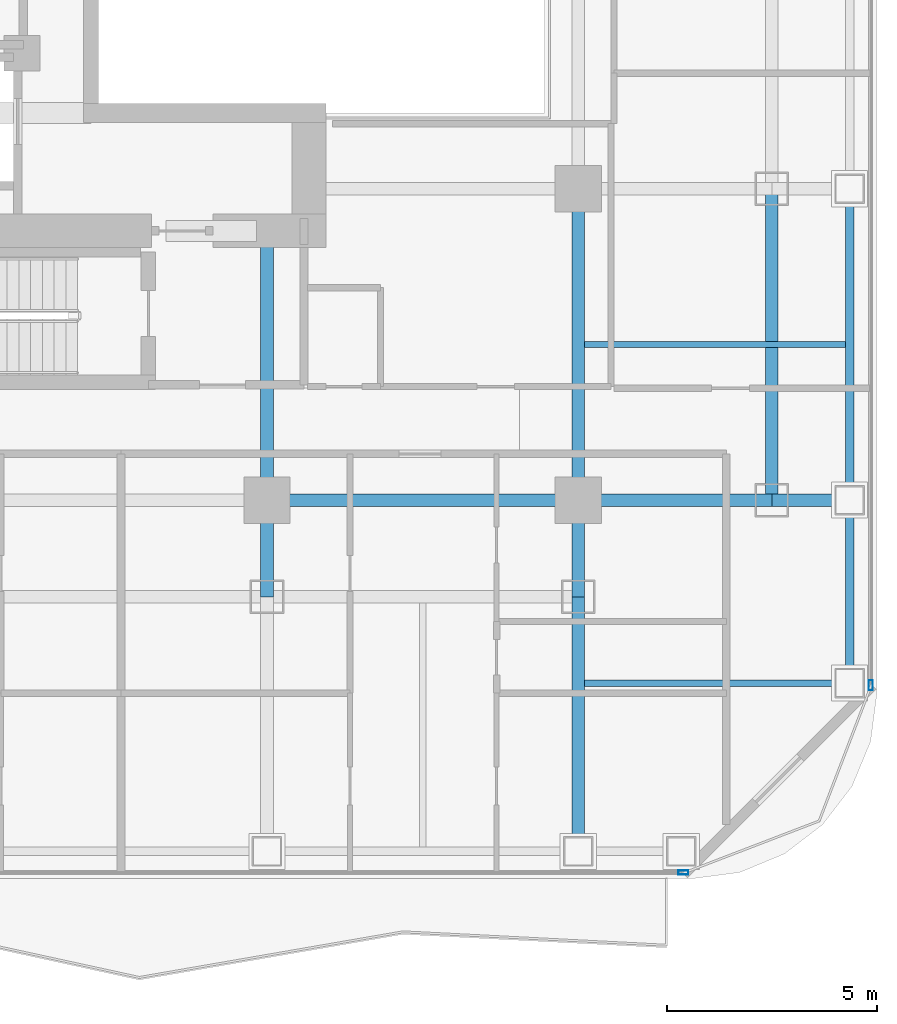
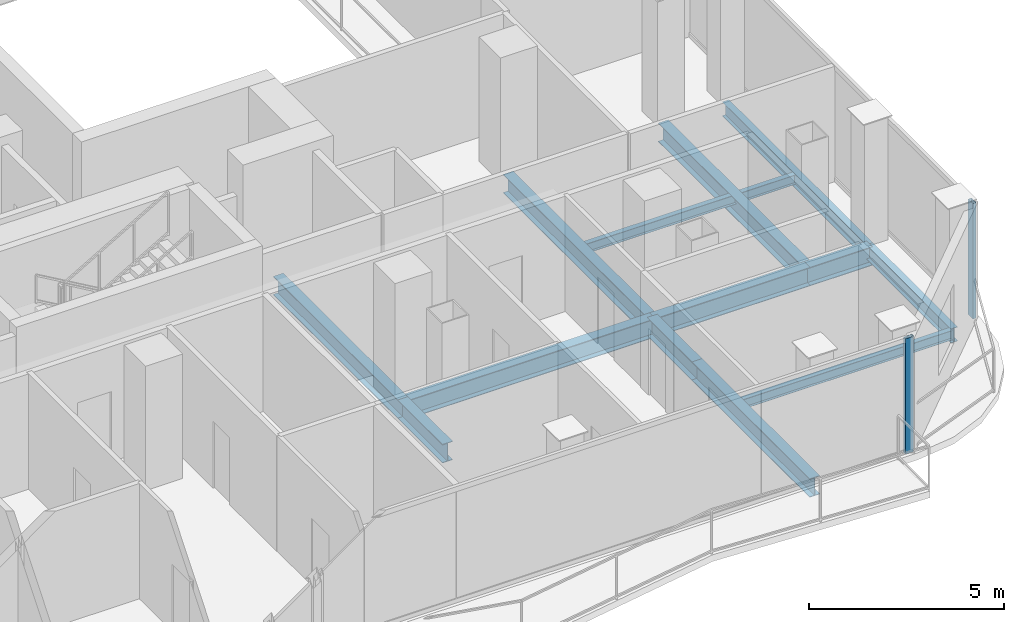
# One storey, part 7 of 26: 13 beams, 2 members, 2 elements without a shape of their own.
"""IFC4 building model written with IfcOpenShell, lengths in metres."""

import ifcopenshell
import ifcopenshell.guid

model = None  # the IFC model being written
_history = None  # IfcOwnerHistory: only IFC2X3 demands one
_inside = {}  # id of a spatial element -> (the spatial element, [elements in it])
_under = {}  # id of a project, library or spatial element -> (it, [spatial elements below it])
_declared = {}  # id of a project -> (the project, [libraries it declares])
_typed = {}  # id of a type object -> (the type object, [elements of that type])
_made_of = {}  # id of a material, layer set ... -> (it, [elements and type objects made of it])


def new_model(schema):
    """Start an empty IFC model of exactly this schema.

    Asked for "IFC4X3", IfcOpenShell would pick the latest addendum, in which some entities
    have other attributes; the version numbers below select the first issue.
    IFC2X3 requires an IfcOwnerHistory on every rooted entity: one is made here for all.
    """
    global model, _history
    if schema == "IFC4X3":
        model = ifcopenshell.file(schema_version=(4, 3, 0, 0))
    else:
        model = ifcopenshell.file(schema=schema)
    _inside.clear()
    _under.clear()
    _declared.clear()
    _typed.clear()
    _made_of.clear()
    _history = None
    if model.schema == "IFC2X3":
        org = make("IfcOrganization", Name="unknown")
        user = make(
            "IfcPersonAndOrganization",
            ThePerson=make("IfcPerson", FamilyName="unknown"),
            TheOrganization=org,
        )
        app = make(
            "IfcApplication",
            ApplicationDeveloper=org,
            Version="unknown",
            ApplicationFullName="unknown",
            ApplicationIdentifier="unknown",
        )
        _history = make(
            "IfcOwnerHistory",
            OwningUser=user,
            OwningApplication=app,
            ChangeAction="ADDED",
            CreationDate=0,
        )
    return model


def make(cls, **values):
    """One entity of the class cls with the attributes given. An attribute that is None is left unset."""
    return model.create_entity(
        cls, **{name: value for name, value in values.items() if value is not None}
    )


def rooted(cls, **values):
    """An entity with a GlobalId (a new one), such as an element, a storey or a relation."""
    return make(cls, GlobalId=ifcopenshell.guid.new(), OwnerHistory=_history, **values)


def si_unit(unit_type, name, prefix=None):
    """IfcSIUnit, for example si_unit("LENGTHUNIT", "METRE", prefix="MILLI")."""
    return make("IfcSIUnit", UnitType=unit_type, Prefix=prefix, Name=name)


def assignment(units):
    """IfcUnitAssignment: the units of a project."""
    return None if units is None else make("IfcUnitAssignment", Units=units)


def point(xyz):
    """IfcCartesianPoint."""
    return None if xyz is None else make("IfcCartesianPoint", Coordinates=xyz)


def direction(xyz):
    """IfcDirection."""
    return None if xyz is None else make("IfcDirection", DirectionRatios=xyz)


def frame(location, z_axis=None, x_axis=None):
    """IfcAxis2Placement3D, a coordinate frame: its origin and axes. An axis left out is left unset."""
    return make(
        "IfcAxis2Placement3D",
        Location=point(location),
        Axis=direction(z_axis),
        RefDirection=direction(x_axis),
    )


def frame_2d(location, x_axis=None):
    """IfcAxis2Placement2D, a coordinate frame in the plane: its origin and x axis."""
    return make(
        "IfcAxis2Placement2D", Location=point(location), RefDirection=direction(x_axis)
    )


def origin():
    """The frame at (0, 0, 0) with its axes left unset."""
    return frame((0.0, 0.0, 0.0))


def origin_2d():
    """The frame at (0, 0) in the plane with its x axis left unset."""
    return frame_2d((0.0, 0.0))


def place(relative_to, where):
    """IfcLocalPlacement: puts the frame where relative to a parent placement (None: the world)."""
    return make(
        "IfcLocalPlacement", PlacementRelTo=relative_to, RelativePlacement=where
    )


def context(
    kind, dimensions, precision=None, world=None, true_north=None, identifier=None
):
    """IfcGeometricRepresentationContext, for example the 3D "Model" context."""
    return make(
        "IfcGeometricRepresentationContext",
        ContextIdentifier=identifier,
        ContextType=kind,
        CoordinateSpaceDimension=dimensions,
        Precision=precision,
        WorldCoordinateSystem=world,
        TrueNorth=true_north,
    )


def subcontext(parent, identifier, kind, view, scale=None):
    """IfcGeometricRepresentationSubContext, for example "Body" below "Model"."""
    return make(
        "IfcGeometricRepresentationSubContext",
        ContextIdentifier=identifier,
        ContextType=kind,
        ParentContext=parent,
        TargetScale=scale,
        TargetView=view,
    )


def project(units=None, contexts=None):
    """IfcProject with its units and contexts."""
    return rooted(
        "IfcProject",
        Name="project",
        RepresentationContexts=contexts,
        UnitsInContext=assignment(units),
    )


def spatial(cls, under=None, at=None, **own):
    """A site, building, storey or space (cls), placed at a placement, below another one or the project."""
    s = rooted(cls, ObjectPlacement=at, **own)
    if under is not None:
        _under.setdefault(under.id(), (under, []))[1].append(s)
    return s


def profile(cls, at=None, kind="AREA", **sizes):
    """A parametric profile (cls). Its sizes go by their IFC names, for example OverallWidth=200.0."""
    return make(cls, ProfileType=kind, Position=at, **sizes)


def hollow_rectangle(**sizes):
    """IfcRectangleHollowProfileDef."""
    return profile("IfcRectangleHollowProfileDef", **sizes)


def i_section(**sizes):
    """IfcIShapeProfileDef."""
    return profile("IfcIShapeProfileDef", **sizes)


def extrude(swept, where, along, depth):
    """IfcExtrudedAreaSolid: the profile swept, set in the frame where, extruded along a direction by depth."""
    return make(
        "IfcExtrudedAreaSolid",
        SweptArea=swept,
        Position=where,
        ExtrudedDirection=direction(along),
        Depth=depth,
    )


def shape(context_of_items, identifier, shape_type, items):
    """IfcShapeRepresentation: the items that make up one representation, for example the "Body"."""
    return make(
        "IfcShapeRepresentation",
        ContextOfItems=context_of_items,
        RepresentationIdentifier=identifier,
        RepresentationType=shape_type,
        Items=items,
    )


def material(Name=None, Category=None):
    """IfcMaterial."""
    return make("IfcMaterial", Name=Name, Category=Category)


def layer(
    of_material, thickness, ventilated=None, Name=None, Category=None, Priority=None
):
    """IfcMaterialLayer: one layer of a wall or slab, of a material (None: an air gap)."""
    return make(
        "IfcMaterialLayer",
        Material=of_material,
        LayerThickness=thickness,
        IsVentilated=ventilated,
        Name=Name,
        Category=Category,
        Priority=Priority,
    )


def layer_set(layers, Name=None):
    """IfcMaterialLayerSet."""
    return make("IfcMaterialLayerSet", MaterialLayers=layers, LayerSetName=Name)


def material_profile(
    of_material, cross_section, Name=None, Category=None, Priority=None
):
    """IfcMaterialProfile: a cross section and its material."""
    return make(
        "IfcMaterialProfile",
        Name=Name,
        Material=of_material,
        Profile=cross_section,
        Priority=Priority,
        Category=Category,
    )


def profile_set(profiles, Name=None, composite=None):
    """IfcMaterialProfileSet."""
    return make(
        "IfcMaterialProfileSet",
        Name=Name,
        MaterialProfiles=profiles,
        CompositeProfile=composite,
    )


def made_of(thing, what):
    """Note that an element or type object is made of a material, layer set ...; save() writes the relation."""
    if what is not None:
        _made_of.setdefault(what.id(), (what, []))[1].append(thing)
    return thing


def type_object(cls, material=None, **own):
    """A type object (cls), such as IfcWallType, which elements share."""
    return made_of(rooted(cls, **own), material)


def element(
    cls,
    number,
    at=None,
    inside=None,
    cuts=None,
    type_object=None,
    material=None,
    context=None,
    identifier="Body",
    shape_type=None,
    held_by="IfcProductDefinitionShape",
    body=None,
    shapes=None,
    **own,
):
    """One element of the class cls, such as IfcWall. Its Tag is "e" and its number.

    at: its placement. inside: the storey or other place that contains it. cuts: it is an
    opening in that element (IfcRelVoidsElement). A single representation is given by context,
    identifier, shape_type and body (its items); several are given by shapes. held_by: the class
    of the entity that holds the representations. save() writes the other relations.
    """
    e = rooted(cls, Tag="e%d" % number, ObjectPlacement=at, **own)
    if body is not None:
        shapes = [shape(context, identifier, shape_type, body)]
    if shapes is not None:
        e.Representation = make(held_by, Representations=shapes)
    if inside is not None:
        _inside.setdefault(inside.id(), (inside, []))[1].append(e)
    if cuts is not None:
        rooted(
            "IfcRelVoidsElement", RelatingBuildingElement=cuts, RelatedOpeningElement=e
        )
    if type_object is not None:
        _typed.setdefault(type_object.id(), (type_object, []))[1].append(e)
    return made_of(e, material)


def aggregate(whole, parts):
    """IfcRelAggregates: a whole, such as a stair, and the parts it consists of."""
    return rooted("IfcRelAggregates", RelatingObject=whole, RelatedObjects=parts)


def save(model, path):
    """Write the relations noted so far, then the file.

    IfcRelAggregates (storeys below a building ...), IfcRelContainedInSpatialStructure (elements
    in a storey), IfcRelDefinesByType, IfcRelAssociatesMaterial and IfcRelDeclares: one each for
    every whole, place, type object, material and project.
    """
    for whole, parts in _under.values():
        aggregate(whole, parts)
    for where, things in _inside.values():
        rooted(
            "IfcRelContainedInSpatialStructure",
            RelatedElements=things,
            RelatingStructure=where,
        )
    for kind, things in _typed.values():
        rooted("IfcRelDefinesByType", RelatedObjects=things, RelatingType=kind)
    for what, things in _made_of.values():
        rooted("IfcRelAssociatesMaterial", RelatedObjects=things, RelatingMaterial=what)
    for by, libraries in _declared.values():
        rooted("IfcRelDeclares", RelatingContext=by, RelatedDefinitions=libraries)
    model.write(path)


model = new_model("IFC4")

# Units and contexts
model_context = context("Model", 3, precision=1e-05, world=origin(), true_north=direction((0.0, 1.0)))
body_context = subcontext(model_context, "Body", "Model", "MODEL_VIEW")
ifc_project = project(units=[si_unit("LENGTHUNIT", "METRE"), si_unit("AREAUNIT", "SQUARE_METRE"), si_unit("VOLUMEUNIT", "CUBIC_METRE"), si_unit("PLANEANGLEUNIT", "RADIAN"), si_unit("MASSUNIT", "GRAM", prefix="KILO")], contexts=[model_context])

# Site, building, storey
site_placement = place(None, origin())
site = spatial("IfcSite", under=ifc_project, at=site_placement, CompositionType="ELEMENT")
building_placement = place(site_placement, origin())
building = spatial("IfcBuilding", under=site, at=building_placement, Name="Khorvyn Point Tower", CompositionType="ELEMENT")
storey_placement = place(building_placement, frame((0.0, 0.0, 187.5)))
storey = spatial("IfcBuildingStorey", under=building, at=storey_placement, Name="L46", CompositionType="ELEMENT", Elevation=187.5)

# Curtain wall, member
ifc_material_1 = material(Name="Anodised aluminium 6063-T6 and laminated Low-E glass", Category="aluminium")
ifc_layer = layer(ifc_material_1, 0.18994140625)
ifc_layer_set = layer_set([ifc_layer], Name="Stick-Built Acoustic Curtain Wall CW-SYS-03")
curtain_wall_type = type_object("IfcCurtainWallType", Name="Stick-Built Acoustic Curtain Wall CW-SYS-03", PredefinedType="NOTDEFINED", material=ifc_layer_set)
curtain_wall_1_placement = place(storey_placement, origin())
curtain_wall_1 = element("IfcCurtainWall", 1, at=curtain_wall_1_placement, inside=storey, type_object=curtain_wall_type, Name="Curtain Wall", PredefinedType="NOTDEFINED")
ifc_material_2 = material(Name="Anodised aluminium 6063-T6", Category="aluminium")
ifc_material_profile_1 = material_profile(ifc_material_2, hollow_rectangle(XDim=0.10009765625, YDim=0.239990234375, WallThickness=0.0048828125, at=origin_2d()))
ifc_profile_set_1 = profile_set([ifc_material_profile_1], Name="Anodised aluminium 6063-T6 ALU-MUL-100x240")
member_type = type_object("IfcMemberType", Name="Anodised Aluminium 6063-T6 Mullion ALU-MUL-100x240", PredefinedType="MULLION", material=ifc_profile_set_1)
member_1_placement = place(storey_placement, frame((17.300048828125, -23.64990234375, 0.0), z_axis=(0.0, 0.0, 1.0), x_axis=(0.0, -1.0, 0.0)))
member_1 = element("IfcMember", 2, at=member_1_placement, type_object=member_type, Name="Transom", PredefinedType="MULLION", context=body_context, shape_type="SweptSolid", body=[
    extrude(hollow_rectangle(XDim=0.10009765625, YDim=0.239990234375, WallThickness=0.0048828125, at=origin_2d()), origin(), (0.0, 0.0, 1.0), 3.6201171875),
])
aggregate(curtain_wall_1, [member_1])

curtain_wall_2_placement = place(storey_placement, origin())
curtain_wall_2 = element("IfcCurtainWall", 3, at=curtain_wall_2_placement, inside=storey, type_object=curtain_wall_type, Name="Curtain Wall", PredefinedType="NOTDEFINED")
member_2_placement = place(storey_placement, frame((21.75, -19.199951171875, 0.0), z_axis=(0.0, 0.0, 1.0), x_axis=(1.0, 0.0, 0.0)))
member_2 = element("IfcMember", 4, at=member_2_placement, type_object=member_type, Name="Transom", PredefinedType="MULLION", context=body_context, shape_type="SweptSolid", body=[
    extrude(hollow_rectangle(XDim=0.10009765625, YDim=0.239990234375, WallThickness=0.0048828125, at=origin_2d()), origin(), (0.0, 0.0, 1.0), 3.6201171875),
])
aggregate(curtain_wall_2, [member_2])

# Beams
ifc_material_3 = material(Name="Steel S355", Category="steel")
ifc_material_profile_2 = material_profile(ifc_material_3, i_section(OverallWidth=0.300048828125, OverallDepth=0.587890625, WebThickness=0.011962890625, FlangeThickness=0.02001953125, at=origin_2d()))
ifc_profile_set_2 = profile_set([ifc_material_profile_2], Name="Steel S355 H588x300x12x20")
beam_type_1 = type_object("IfcBeamType", Name="Steel S355 Beam H588x300x12x20", PredefinedType="BEAM", material=ifc_profile_set_2)
beam_1_placement = place(storey_placement, frame((7.39990234375, -14.800048828125, -0.513916015625), z_axis=(1.0, 0.0, 0.0), x_axis=(0.0, 1.0, 0.0)))
element("IfcBeam", 5, at=beam_1_placement, inside=storey, type_object=beam_type_1, Name="Beam", PredefinedType="BEAM", context=body_context, shape_type="SweptSolid", body=[
    extrude(i_section(OverallWidth=0.300048828125, OverallDepth=0.587890625, WebThickness=0.011962890625, FlangeThickness=0.02001953125, at=origin_2d()), origin(), (0.0, 0.0, 1.0), 7.400146484375),
])
beam_2_placement = place(storey_placement, frame((14.800048828125, -14.800048828125, -0.513916015625), z_axis=(1.0, 0.0, 0.0), x_axis=(0.0, 1.0, 0.0)))
element("IfcBeam", 6, at=beam_2_placement, inside=storey, type_object=beam_type_1, Name="Beam", PredefinedType="BEAM", context=body_context, shape_type="SweptSolid", body=[
    extrude(i_section(OverallWidth=0.300048828125, OverallDepth=0.587890625, WebThickness=0.011962890625, FlangeThickness=0.02001953125, at=origin_2d()), origin(), (0.0, 0.0, 1.0), 4.599853515625),
])
beam_3_placement = place(storey_placement, frame((19.39990234375, -14.800048828125, -0.513916015625), z_axis=(1.0, 0.0, 0.0), x_axis=(0.0, 1.0, 0.0)))
element("IfcBeam", 7, at=beam_3_placement, inside=storey, type_object=beam_type_1, Name="Beam", PredefinedType="BEAM", context=body_context, shape_type="SweptSolid", body=[
    extrude(i_section(OverallWidth=0.300048828125, OverallDepth=0.587890625, WebThickness=0.011962890625, FlangeThickness=0.02001953125, at=origin_2d()), origin(), (0.0, 0.0, 1.0), 1.85009765625),
])
beam_4_placement = place(storey_placement, frame((14.800048828125, -23.14990234375, -0.513916015625), z_axis=(0.0, 1.0, 0.0), x_axis=(-1.0, 0.0, 0.0)))
element("IfcBeam", 8, at=beam_4_placement, inside=storey, type_object=beam_type_1, Name="Beam", PredefinedType="BEAM", context=body_context, shape_type="SweptSolid", body=[
    extrude(i_section(OverallWidth=0.300048828125, OverallDepth=0.587890625, WebThickness=0.011962890625, FlangeThickness=0.02001953125, at=origin_2d()), origin(), (0.0, 0.0, 1.0), 6.0498046875),
])
beam_5_placement = place(storey_placement, frame((14.800048828125, -17.10009765625, -0.513916015625), z_axis=(0.0, 1.0, 0.0), x_axis=(-1.0, 0.0, 0.0)))
element("IfcBeam", 9, at=beam_5_placement, inside=storey, type_object=beam_type_1, Name="Beam", PredefinedType="BEAM", context=body_context, shape_type="SweptSolid", body=[
    extrude(i_section(OverallWidth=0.300048828125, OverallDepth=0.587890625, WebThickness=0.011962890625, FlangeThickness=0.02001953125, at=origin_2d()), origin(), (0.0, 0.0, 1.0), 2.300048828125),
])
beam_6_placement = place(storey_placement, frame((14.800048828125, -14.800048828125, -0.513916015625), z_axis=(0.0, 1.0, 0.0), x_axis=(-1.0, 0.0, 0.0)))
element("IfcBeam", 10, at=beam_6_placement, inside=storey, type_object=beam_type_1, Name="Beam", PredefinedType="BEAM", context=body_context, shape_type="SweptSolid", body=[
    extrude(i_section(OverallWidth=0.300048828125, OverallDepth=0.587890625, WebThickness=0.011962890625, FlangeThickness=0.02001953125, at=origin_2d()), origin(), (0.0, 0.0, 1.0), 7.400146484375),
])
beam_7_placement = place(storey_placement, frame((7.39990234375, -17.10009765625, -0.513916015625), z_axis=(0.0, 1.0, 0.0), x_axis=(-1.0, 0.0, 0.0)))
element("IfcBeam", 11, at=beam_7_placement, inside=storey, type_object=beam_type_1, Name="Beam", PredefinedType="BEAM", context=body_context, shape_type="SweptSolid", body=[
    extrude(i_section(OverallWidth=0.300048828125, OverallDepth=0.587890625, WebThickness=0.011962890625, FlangeThickness=0.02001953125, at=origin_2d()), origin(), (0.0, 0.0, 1.0), 2.300048828125),
])
beam_8_placement = place(storey_placement, frame((7.39990234375, -14.800048828125, -0.513916015625), z_axis=(0.0, 1.0, 0.0), x_axis=(-1.0, 0.0, 0.0)))
element("IfcBeam", 12, at=beam_8_placement, inside=storey, type_object=beam_type_1, Name="Beam", PredefinedType="BEAM", context=body_context, shape_type="SweptSolid", body=[
    extrude(i_section(OverallWidth=0.300048828125, OverallDepth=0.587890625, WebThickness=0.011962890625, FlangeThickness=0.02001953125, at=origin_2d()), origin(), (0.0, 0.0, 1.0), 6.400146484375),
])
beam_9_placement = place(storey_placement, frame((19.39990234375, -14.800048828125, -0.513916015625), z_axis=(0.0, 1.0, 0.0), x_axis=(-1.0, 0.0, 0.0)))
element("IfcBeam", 13, at=beam_9_placement, inside=storey, type_object=beam_type_1, Name="Beam", PredefinedType="BEAM", context=body_context, shape_type="SweptSolid", body=[
    extrude(i_section(OverallWidth=0.300048828125, OverallDepth=0.587890625, WebThickness=0.011962890625, FlangeThickness=0.02001953125, at=origin_2d()), origin(), (0.0, 0.0, 1.0), 7.400146484375),
])
ifc_material_profile_3 = material_profile(ifc_material_3, i_section(OverallWidth=0.14990234375, OverallDepth=0.300048828125, WebThickness=0.006591796875, FlangeThickness=0.009033203125, at=origin_2d()))
ifc_profile_set_3 = profile_set([ifc_material_profile_3], Name="Steel S355 H300x150x6.5x9")
beam_type_2 = type_object("IfcBeamType", Name="Steel S355 Joist H300x150x6.5x9", PredefinedType="JOIST", material=ifc_profile_set_3)
for number, where, z_axis, x_axis, name in (
    (14, (14.949951171875, -11.10009765625, -0.3701171875), (1.0, 0.0, 0.0), (0.0, 1.0, 0.0), "Beam"),
    (15, (14.949951171875, -19.14990234375, -0.3701171875), (1.0, 0.0, 0.0), (0.0, 1.0, 0.0), "Beam"),
):
    element("IfcBeam", number, at=place(storey_placement, frame(where, z_axis=z_axis, x_axis=x_axis)), inside=storey, type_object=beam_type_2, Name=name, PredefinedType="JOIST", context=body_context, shape_type="SweptSolid", body=[
        extrude(i_section(OverallWidth=0.14990234375, OverallDepth=0.300048828125, WebThickness=0.006591796875, FlangeThickness=0.009033203125, at=origin_2d()), origin(), (0.0, 0.0, 1.0), 6.199951171875),
    ])
ifc_material_profile_4 = material_profile(ifc_material_3, i_section(OverallWidth=0.199951171875, OverallDepth=0.449951171875, WebThickness=0.009033203125, FlangeThickness=0.013916015625, at=origin_2d()))
ifc_profile_set_4 = profile_set([ifc_material_profile_4], Name="Steel S355 H450x200x9x14")
beam_type_3 = type_object("IfcBeamType", Name="Steel S355 Spandrel H450x200x9x14", PredefinedType="SPANDREL", material=ifc_profile_set_4)
beam_10_placement = place(storey_placement, frame((21.25, -19.14990234375, -0.445068359375), z_axis=(0.0, 1.0, 0.0), x_axis=(-1.0, 0.0, 0.0)))
element("IfcBeam", 16, at=beam_10_placement, inside=storey, type_object=beam_type_3, Name="Beam", PredefinedType="SPANDREL", context=body_context, shape_type="SweptSolid", body=[
    extrude(i_section(OverallWidth=0.199951171875, OverallDepth=0.449951171875, WebThickness=0.009033203125, FlangeThickness=0.013916015625, at=origin_2d()), origin(), (0.0, 0.0, 1.0), 4.349853515625),
])
beam_11_placement = place(storey_placement, frame((21.25, -14.800048828125, -0.445068359375), z_axis=(0.0, 1.0, 0.0), x_axis=(-1.0, 0.0, 0.0)))
element("IfcBeam", 17, at=beam_11_placement, inside=storey, type_object=beam_type_3, Name="Beam", PredefinedType="SPANDREL", context=body_context, shape_type="SweptSolid", body=[
    extrude(i_section(OverallWidth=0.199951171875, OverallDepth=0.449951171875, WebThickness=0.009033203125, FlangeThickness=0.013916015625, at=origin_2d()), origin(), (0.0, 0.0, 1.0), 7.400146484375),
])

save(model, "model.ifc")
